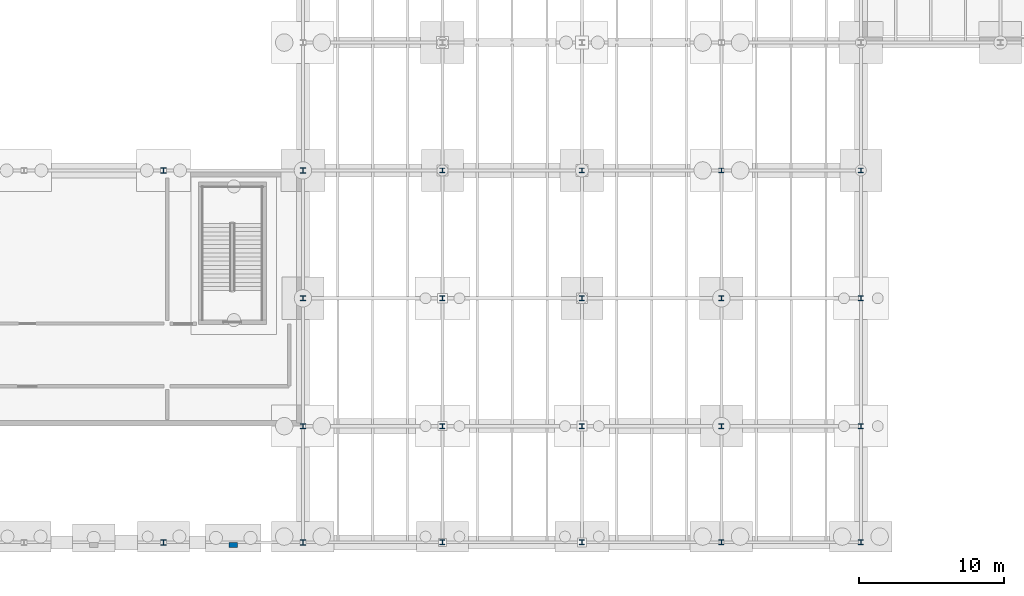
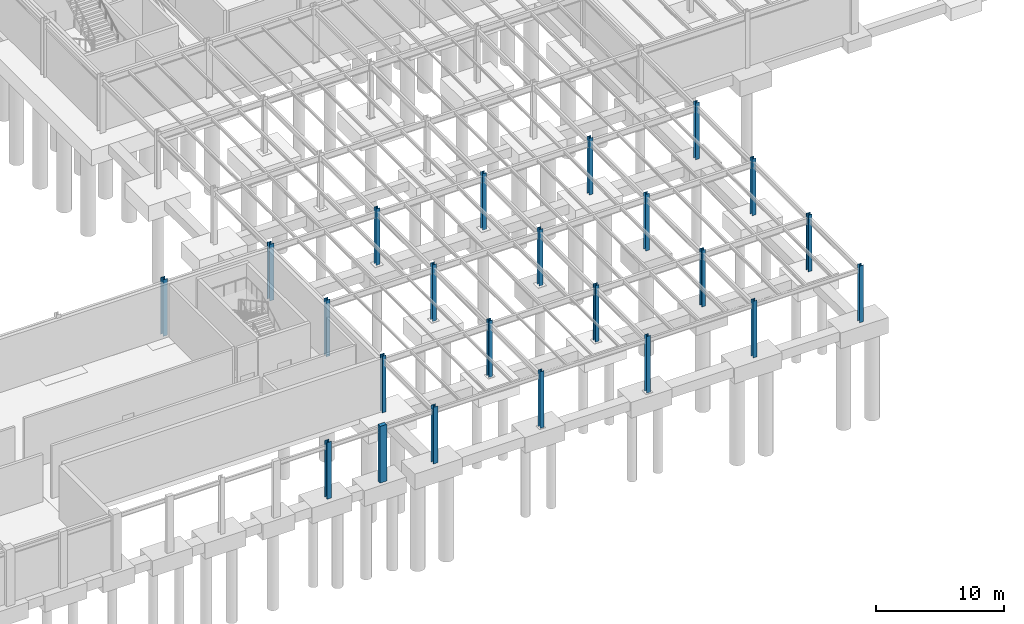
# One storey, part 9 of 48: 23 columns.
"""IFC4 building model written with IfcOpenShell, lengths in metres."""

from ifc_helpers import new_model, si_unit, direction, frame, origin, origin_2d, place, context, subcontext, project, spatial, rectangle, i_section, extrude, material, material_profile, profile_set, type_object, element, save


model = new_model("IFC4")

# Units and contexts
model_context = context("Model", 3, precision=1e-05, world=origin(), true_north=direction((0.0, 1.0)))
body_context = subcontext(model_context, "Body", "Model", "MODEL_VIEW")
ifc_project = project(units=[si_unit("LENGTHUNIT", "METRE"), si_unit("AREAUNIT", "SQUARE_METRE"), si_unit("VOLUMEUNIT", "CUBIC_METRE"), si_unit("PLANEANGLEUNIT", "RADIAN"), si_unit("MASSUNIT", "GRAM", prefix="KILO")], contexts=[model_context])

# Site, building, storey
site_placement = place(None, origin())
site = spatial("IfcSite", under=ifc_project, at=site_placement, CompositionType="ELEMENT")
building_placement = place(site_placement, origin())
building = spatial("IfcBuilding", under=site, at=building_placement, Name="Sarnbrook Museum", CompositionType="ELEMENT")
storey_placement = place(building_placement, frame((0.0, 0.0, -5.39990234375)))
storey = spatial("IfcBuildingStorey", under=building, at=storey_placement, Name="B1", CompositionType="ELEMENT", Elevation=-5.39990234375)

# Columns
ifc_material_1 = material(Name="Structural Steel Grade 350L0 (AS/NZS 3678, fy = 340 MPa for 20 < t <= 40 mm)", Category="steel")
ifc_material_profile_1 = material_profile(ifc_material_1, i_section(OverallWidth=0.35009765625, OverallDepth=0.3310546875, WebThickness=0.02001953125, FlangeThickness=0.028076171875, at=origin_2d()), Name="350WC197")
ifc_profile_set_1 = profile_set([ifc_material_profile_1], Name="Structural Steel Grade 350L0 (AS/NZS 3678, fy = 340 MPa for 20 < t <= 40 mm)")
column_type_1 = type_object("IfcColumnType", Name="COL-WC350", PredefinedType="COLUMN", material=ifc_profile_set_1)
for number, where, z_axis, x_axis, name in (
    (1, (90.39990234375, 4.800048828125, 0.0), (0.0, 0.0, 1.0), (1.0, 0.0, 0.0), "Column 10-A B1"),
    (2, (90.39990234375, 12.800048828125, 0.0), (0.0, 0.0, 1.0), (1.0, 0.0, 0.0), "Column 10-B B1"),
    (3, (90.39990234375, 21.60009765625, 0.0), (0.0, 0.0, 1.0), (1.0, 0.0, 0.0), "Column 10-C B1"),
    (4, (90.39990234375, 30.39990234375, 0.0), (0.0, 0.0, 1.0), (1.0, 0.0, 0.0), "Column 10-D B1"),
    (5, (100.0, 4.800048828125, 0.0), (0.0, 0.0, 1.0), (1.0, 0.0, 0.0), "Column 11-A B1"),
    (6, (100.0, 12.800048828125, 0.0), (0.0, 0.0, 1.0), (1.0, 0.0, 0.0), "Column 11-B B1"),
    (7, (100.0, 21.60009765625, 0.0), (0.0, 0.0, 1.0), (1.0, 0.0, 0.0), "Column 11-C B1"),
    (8, (100.0, 30.39990234375, 0.0), (0.0, 0.0, 1.0), (1.0, 0.0, 0.0), "Column 11-D B1"),
    (9, (109.60009765625, 4.800048828125, 0.0), (0.0, 0.0, 1.0), (1.0, 0.0, 0.0), "Column 12-A B1"),
    (10, (109.60009765625, 12.800048828125, 0.0), (0.0, 0.0, 1.0), (1.0, 0.0, 0.0), "Column 12-B B1"),
    (11, (109.60009765625, 21.60009765625, 0.0), (0.0, 0.0, 1.0), (1.0, 0.0, 0.0), "Column 12-C B1"),
    (12, (109.60009765625, 30.39990234375, 0.0), (0.0, 0.0, 1.0), (1.0, 0.0, 0.0), "Column 12-D B1"),
    (13, (119.199951171875, 4.800048828125, 0.0), (0.0, 0.0, 1.0), (1.0, 0.0, 0.0), "Column 13-A B1"),
    (14, (119.199951171875, 12.800048828125, 0.0), (0.0, 0.0, 1.0), (1.0, 0.0, 0.0), "Column 13-B B1"),
    (15, (119.199951171875, 21.60009765625, 0.0), (0.0, 0.0, 1.0), (1.0, 0.0, 0.0), "Column 13-C B1"),
    (16, (119.199951171875, 30.39990234375, 0.0), (0.0, 0.0, 1.0), (1.0, 0.0, 0.0), "Column 13-D B1"),
    (17, (80.800048828125, 12.800048828125, 0.0), (0.0, 0.0, 1.0), (1.0, 0.0, 0.0), "Column 9-B B1"),
    (18, (80.800048828125, 21.60009765625, 0.0), (0.0, 0.0, 1.0), (1.0, 0.0, 0.0), "Column 9-C B1"),
):
    element("IfcColumn", number, at=place(storey_placement, frame(where, z_axis=z_axis, x_axis=x_axis)), inside=storey, type_object=column_type_1, Name=name, PredefinedType="COLUMN", context=body_context, shape_type="SweptSolid", body=[
        extrude(i_section(OverallWidth=0.35009765625, OverallDepth=0.3310546875, WebThickness=0.02001953125, FlangeThickness=0.028076171875, at=origin_2d()), origin(), (0.0, 0.0, 1.0), 5.39990234375),
    ])
ifc_material_profile_2 = material_profile(ifc_material_1, i_section(OverallWidth=0.39990234375, OverallDepth=0.382080078125, WebThickness=0.02490234375, FlangeThickness=0.035888671875, at=origin_2d()), Name="400WC270")
ifc_profile_set_2 = profile_set([ifc_material_profile_2], Name="Structural Steel Grade 350L0 (AS/NZS 3678, fy = 340 MPa for 20 < t <= 40 mm)")
column_type_2 = type_object("IfcColumnType", Name="COL-WC400", PredefinedType="COLUMN", material=ifc_profile_set_2)
for number, where, z_axis, x_axis, name in (
    (19, (71.199951171875, 4.800048828125, 0.0), (0.0, 0.0, 1.0), (1.0, 0.0, 0.0), "Column 8-A B1"),
    (20, (71.199951171875, 30.39990234375, 0.0), (0.0, 0.0, 1.0), (1.0, 0.0, 0.0), "Column 8-D B1"),
    (21, (80.800048828125, 4.800048828125, 0.0), (0.0, 0.0, 1.0), (1.0, 0.0, 0.0), "Column 9-A B1"),
    (22, (80.800048828125, 30.39990234375, 0.0), (0.0, 0.0, 1.0), (1.0, 0.0, 0.0), "Column 9-D B1"),
):
    element("IfcColumn", number, at=place(storey_placement, frame(where, z_axis=z_axis, x_axis=x_axis)), inside=storey, type_object=column_type_2, Name=name, PredefinedType="COLUMN", context=body_context, shape_type="SweptSolid", body=[
        extrude(i_section(OverallWidth=0.39990234375, OverallDepth=0.382080078125, WebThickness=0.02490234375, FlangeThickness=0.035888671875, at=origin_2d()), origin(), (0.0, 0.0, 1.0), 5.39990234375),
    ])
ifc_material_2 = material(Name="Concrete N40 (AS 3600, f'c = 40 MPa)", Category="concrete")
ifc_material_profile_3 = material_profile(ifc_material_2, rectangle(XDim=0.60009765625, YDim=0.35009765625, at=origin_2d()), Name="PILASTER 600x350")
ifc_profile_set_3 = profile_set([ifc_material_profile_3], Name="Concrete N40 (AS 3600, f'c = 40 MPa)")
column_type_3 = type_object("IfcColumnType", Name="PIL-600x350", PredefinedType="PILASTER", material=ifc_profile_set_3)
column_placement = place(storey_placement, frame((76.0, 4.6201171875, 0.0), z_axis=(0.0, 0.0, 1.0), x_axis=(1.0, 0.0, 0.0)))
element("IfcColumn", 23, at=column_placement, inside=storey, type_object=column_type_3, Name="Sandstone Classical Pilaster P-S4 B1", PredefinedType="PILASTER", context=body_context, shape_type="SweptSolid", body=[
    extrude(rectangle(XDim=0.60009765625, YDim=0.35009765625, at=origin_2d()), origin(), (0.0, 0.0, 1.0), 5.39990234375),
])

save(model, "model.ifc")
